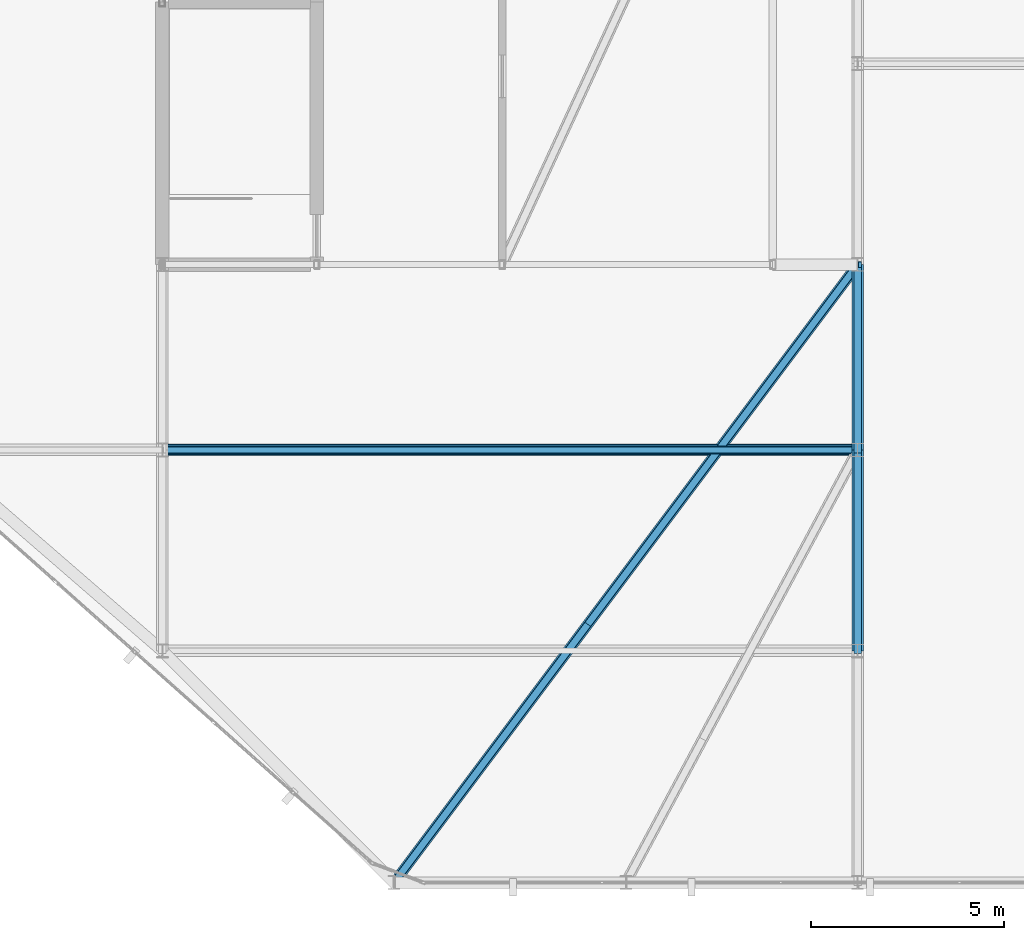
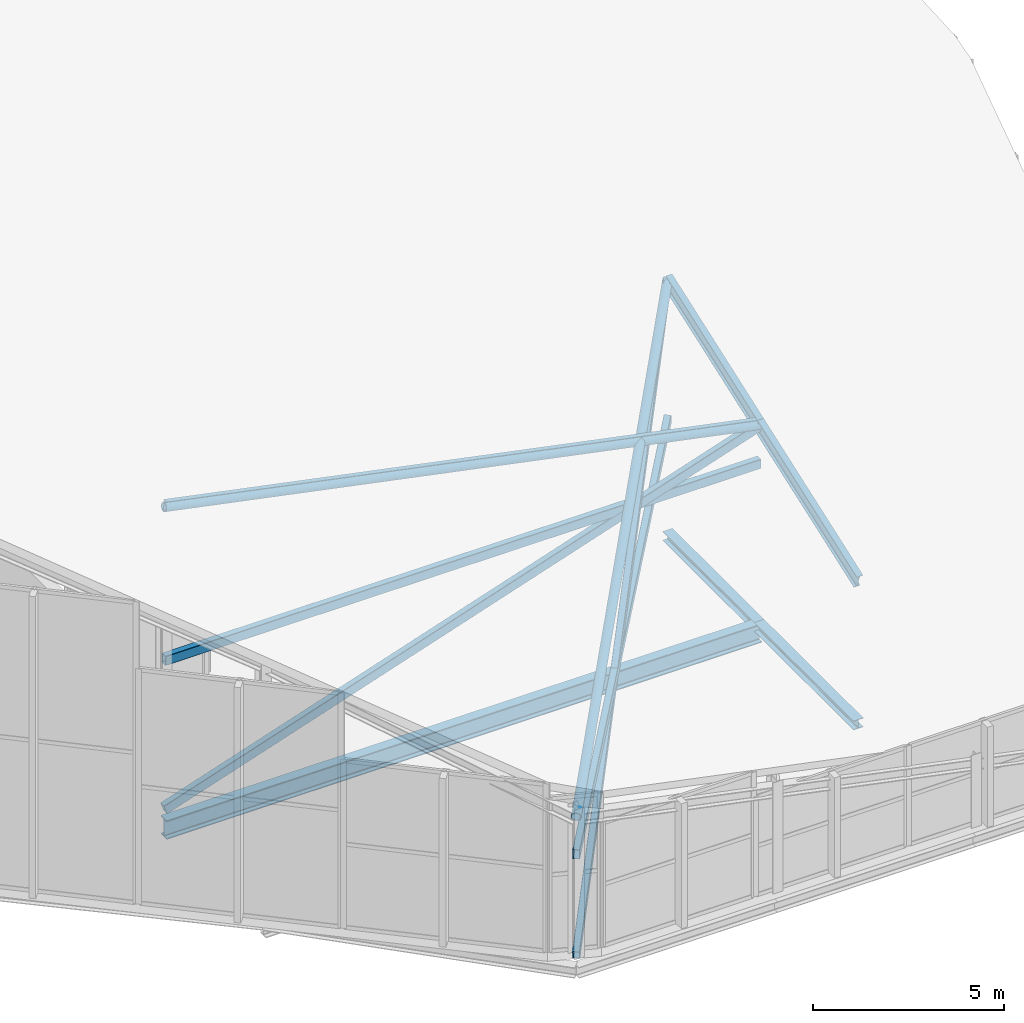
# One storey, part 11 of 74: 9 members, 3 beams.
"""IFC4 building model written with IfcOpenShell, lengths in metres."""

from ifc_helpers import new_model, si_unit, direction, frame, origin, origin_2d, place, context, subcontext, project, spatial, hollow_rectangle, hollow_circle, i_section, extrude, material, material_profile, profile_set, type_object, element, save


model = new_model("IFC4")

# Units and contexts
model_context = context("Model", 3, precision=1e-05, world=origin(), true_north=direction((0.0, 1.0)))
body_context = subcontext(model_context, "Body", "Model", "MODEL_VIEW")
ifc_project = project(units=[si_unit("LENGTHUNIT", "METRE"), si_unit("AREAUNIT", "SQUARE_METRE"), si_unit("VOLUMEUNIT", "CUBIC_METRE"), si_unit("PLANEANGLEUNIT", "RADIAN"), si_unit("MASSUNIT", "GRAM", prefix="KILO")], contexts=[model_context])

# Site, building, storey
site_placement = place(None, origin())
site = spatial("IfcSite", under=ifc_project, at=site_placement, CompositionType="ELEMENT")
building_placement = place(site_placement, origin())
building = spatial("IfcBuilding", under=site, at=building_placement, Name="Keshet Zoharim Tower", CompositionType="ELEMENT")
storey_placement = place(building_placement, frame((0.0, 0.0, 320.0)))
storey = spatial("IfcBuildingStorey", under=building, at=storey_placement, Name="RF", CompositionType="ELEMENT", Elevation=320.0)

# Beams
ifc_material = material(Name="Steel S355", Category="steel")
ifc_material_profile_1 = material_profile(ifc_material, i_section(OverallWidth=0.300048828125, OverallDepth=0.60009765625, WebThickness=0.015380859375, FlangeThickness=0.030029296875, FilletRadius=0.027099609375, at=origin_2d()), Name="HEB600")
ifc_profile_set_1 = profile_set([ifc_material_profile_1], Name="Steel S355")
beam_type_1 = type_object("IfcBeamType", Name="BM-LNG-HB600", PredefinedType="BEAM", material=ifc_profile_set_1)
beam_1_placement = place(storey_placement, frame((15.0, 17.89990234375, -0.610107421875), z_axis=(1.0, 0.0, 0.0), x_axis=(0.0, 1.0, 0.0)))
element("IfcBeam", 1, at=beam_1_placement, inside=storey, type_object=beam_type_1, Name="RF Primary Girder X-006", PredefinedType="BEAM", context=body_context, shape_type="SweptSolid", body=[
    extrude(i_section(OverallWidth=0.300048828125, OverallDepth=0.60009765625, WebThickness=0.015380859375, FlangeThickness=0.030029296875, FilletRadius=0.027099609375, at=origin_2d()), origin(), (0.0, 0.0, 1.0), 18.0),
])
ifc_material_profile_2 = material_profile(ifc_material, i_section(OverallWidth=0.300048828125, OverallDepth=0.2900390625, WebThickness=0.008544921875, FlangeThickness=0.013916015625, FilletRadius=0.027099609375, at=origin_2d()), Name="HEA300")
ifc_profile_set_2 = profile_set([ifc_material_profile_2], Name="Steel S355")
beam_type_2 = type_object("IfcBeamType", Name="BM-PRI-HA300", PredefinedType="BEAM", material=ifc_profile_set_2)
beam_2_placement = place(storey_placement, frame((33.0, 12.699951171875, -0.455078125), z_axis=(0.0, 1.0, 0.0), x_axis=(-1.0, 0.0, 0.0)))
element("IfcBeam", 2, at=beam_2_placement, inside=storey, type_object=beam_type_2, Name="RF Primary Girder Y-005", PredefinedType="BEAM", context=body_context, shape_type="SweptSolid", body=[
    extrude(i_section(OverallWidth=0.300048828125, OverallDepth=0.2900390625, WebThickness=0.008544921875, FlangeThickness=0.013916015625, FilletRadius=0.027099609375, at=origin_2d()), origin(), (0.0, 0.0, 1.0), 5.199951171875),
])
beam_3_placement = place(storey_placement, frame((33.0, 17.89990234375, -0.455078125), z_axis=(0.0, 1.0, 0.0), x_axis=(-1.0, 0.0, 0.0)))
element("IfcBeam", 3, at=beam_3_placement, inside=storey, type_object=beam_type_2, Name="RF Primary Girder Y-006", PredefinedType="BEAM", context=body_context, shape_type="SweptSolid", body=[
    extrude(i_section(OverallWidth=0.300048828125, OverallDepth=0.2900390625, WebThickness=0.008544921875, FlangeThickness=0.013916015625, FilletRadius=0.027099609375, at=origin_2d()), origin(), (0.0, 0.0, 1.0), 4.800048828125),
])

# Members
ifc_material_profile_3 = material_profile(ifc_material, hollow_rectangle(XDim=0.199951171875, YDim=0.300048828125, WallThickness=0.012451171875, InnerFilletRadius=0.011962890625, OuterFilletRadius=0.01904296875, at=origin_2d()), Name="RHS300x200x12.5")
ifc_profile_set_3 = profile_set([ifc_material_profile_3], Name="Steel S355")
member_type_1 = type_object("IfcMemberType", Name="MB-COL-R300", PredefinedType="COLLAR", material=ifc_profile_set_3)
member_1_placement = place(storey_placement, frame((21.0, 6.699951171875, 3.21728515625), z_axis=(0.6, 0.8, 0.0), x_axis=(-0.8, 0.6, 0.0)))
element("IfcMember", 4, at=member_1_placement, inside=storey, type_object=member_type_1, Name="Crown Frame Collar Tie 02", PredefinedType="COLLAR", context=body_context, shape_type="SweptSolid", body=[
    extrude(hollow_rectangle(XDim=0.199951171875, YDim=0.300048828125, WallThickness=0.012451171875, InnerFilletRadius=0.011962890625, OuterFilletRadius=0.01904296875, at=origin_2d()), origin(), (0.0, 0.0, 1.0), 20.0),
])
member_2_placement = place(storey_placement, frame((15.0, 17.89990234375, 4.762939453125), z_axis=(1.0, 0.0, 0.0), x_axis=(0.0, 1.0, 0.0)))
element("IfcMember", 5, at=member_2_placement, inside=storey, type_object=member_type_1, Name="Crown Frame Collar Tie 03", PredefinedType="COLLAR", context=body_context, shape_type="SweptSolid", body=[
    extrude(hollow_rectangle(XDim=0.199951171875, YDim=0.300048828125, WallThickness=0.012451171875, InnerFilletRadius=0.011962890625, OuterFilletRadius=0.01904296875, at=origin_2d()), origin(), (0.0, 0.0, 1.0), 18.0),
])
ifc_material_profile_4 = material_profile(ifc_material, hollow_circle(Radius=0.136474609375, WallThickness=0.010009765625, at=origin_2d()), Name="CHS273x10")
ifc_profile_set_4 = profile_set([ifc_material_profile_4], Name="Steel S355")
member_type_2 = type_object("IfcMemberType", Name="MB-CRN-C273", PredefinedType="BRACE", material=ifc_profile_set_4)
member_3_placement = place(storey_placement, frame((21.0, 6.699951171875, 4.417236328125), z_axis=(0.5921972685, 0.789596358, 0.160748208747), x_axis=(-0.8, 0.6, 0.0)))
element("IfcMember", 6, at=member_3_placement, inside=storey, type_object=member_type_2, Name="Crown Roof In-Plane Brace 02", PredefinedType="BRACE", context=body_context, shape_type="SweptSolid", body=[
    extrude(hollow_circle(Radius=0.136474609375, WallThickness=0.010009765625, at=origin_2d()), origin(), (0.0, 0.0, 1.0), 20.263427734375),
])
member_4_placement = place(storey_placement, frame((15.0, 17.89990234375, 9.63427734375), z_axis=(0.979826264303, 0.0, -0.19985117408), x_axis=(0.0, 1.0, 0.0)))
element("IfcMember", 7, at=member_4_placement, inside=storey, type_object=member_type_2, Name="Crown Roof In-Plane Brace 03", PredefinedType="BRACE", context=body_context, shape_type="SweptSolid", body=[
    extrude(hollow_circle(Radius=0.136474609375, WallThickness=0.010009765625, at=origin_2d()), origin(), (0.0, 0.0, 1.0), 18.37060546875),
])
ifc_material_profile_5 = material_profile(ifc_material, i_section(OverallWidth=0.14990234375, OverallDepth=0.300048828125, WebThickness=0.007080078125, FlangeThickness=0.0107421875, FilletRadius=0.014892578125, at=origin_2d()), Name="IPE300")
ifc_profile_set_5 = profile_set([ifc_material_profile_5], Name="Steel S355")
member_type_3 = type_object("IfcMemberType", Name="MB-PUR-IP300", PredefinedType="PURLIN", material=ifc_profile_set_5)
member_5_placement = place(storey_placement, frame((15.0, 17.89990234375, 9.67431640625), z_axis=(0.979826264303, 0.0, -0.19985117408), x_axis=(0.0, 1.0, 0.0)))
element("IfcMember", 8, at=member_5_placement, inside=storey, type_object=member_type_3, Name="Crown Roof Purlin 03", PredefinedType="PURLIN", context=body_context, shape_type="SweptSolid", body=[
    extrude(i_section(OverallWidth=0.14990234375, OverallDepth=0.300048828125, WebThickness=0.007080078125, FlangeThickness=0.0107421875, FilletRadius=0.014892578125, at=origin_2d()), origin(), (0.0, 0.0, 1.0), 18.37060546875),
])
ifc_material_profile_6 = material_profile(ifc_material, i_section(OverallWidth=0.18994140625, OverallDepth=0.449951171875, WebThickness=0.009521484375, FlangeThickness=0.0146484375, FilletRadius=0.02099609375, at=origin_2d()), Name="IPE450")
ifc_profile_set_6 = profile_set([ifc_material_profile_6], Name="Steel S355")
member_type_4 = type_object("IfcMemberType", Name="MB-RAF-IP450", PredefinedType="RAFTER", material=ifc_profile_set_6)
member_6_placement = place(storey_placement, frame((33.0, 12.699951171875, 4.10888671875), z_axis=(0.0, 0.941920874115, 0.335834880418), x_axis=(-1.0, 0.0, 0.0)))
element("IfcMember", 9, at=member_6_placement, inside=storey, type_object=member_type_4, Name="Crown Raking Rafter 10", PredefinedType="RAFTER", context=body_context, shape_type="SweptSolid", body=[
    extrude(i_section(OverallWidth=0.18994140625, OverallDepth=0.449951171875, WebThickness=0.009521484375, FlangeThickness=0.0146484375, FilletRadius=0.02099609375, at=origin_2d()), origin(), (0.0, 0.0, 1.0), 5.5205078125),
])
member_7_placement = place(storey_placement, frame((33.0, 17.89990234375, 5.962890625), z_axis=(0.0, 0.941905465314, 0.335878094569), x_axis=(-1.0, 0.0, 0.0)))
element("IfcMember", 10, at=member_7_placement, inside=storey, type_object=member_type_4, Name="Crown Raking Rafter 11", PredefinedType="RAFTER", context=body_context, shape_type="SweptSolid", body=[
    extrude(i_section(OverallWidth=0.18994140625, OverallDepth=0.449951171875, WebThickness=0.009521484375, FlangeThickness=0.0146484375, FilletRadius=0.02099609375, at=origin_2d()), origin(), (0.0, 0.0, 1.0), 5.09619140625),
])
ifc_material_profile_7 = material_profile(ifc_material, hollow_rectangle(XDim=0.199951171875, YDim=0.300048828125, WallThickness=0.012451171875, InnerFilletRadius=0.011962890625, OuterFilletRadius=0.01904296875, at=origin_2d()), Name="RHS300x200x12.5")
ifc_profile_set_7 = profile_set([ifc_material_profile_7], Name="Steel S355")
member_type_5 = type_object("IfcMemberType", Name="MB-STR-R300", PredefinedType="STRUT", material=ifc_profile_set_7)
member_8_placement = place(storey_placement, frame((21.0, 6.699951171875, 0.0), z_axis=(0.560173741803, 0.746898322404, 0.358257274853), x_axis=(-0.8, 0.6, 0.0)))
element("IfcMember", 11, at=member_8_placement, inside=storey, type_object=member_type_5, Name="Crown Vertical Bracing Strut 02", PredefinedType="STRUT", context=body_context, shape_type="SweptSolid", body=[
    extrude(hollow_rectangle(XDim=0.199951171875, YDim=0.300048828125, WallThickness=0.012451171875, InnerFilletRadius=0.011962890625, OuterFilletRadius=0.01904296875, at=origin_2d()), origin(), (0.0, 0.0, 1.0), 21.421875),
])
member_9_placement = place(storey_placement, frame((15.0, 17.89990234375, 0.0), z_axis=(0.949268775836, 0.0, 0.314465882447), x_axis=(0.0, 1.0, 0.0)))
element("IfcMember", 12, at=member_9_placement, inside=storey, type_object=member_type_5, Name="Crown Vertical Bracing Strut 03", PredefinedType="STRUT", context=body_context, shape_type="SweptSolid", body=[
    extrude(hollow_rectangle(XDim=0.199951171875, YDim=0.300048828125, WallThickness=0.012451171875, InnerFilletRadius=0.011962890625, OuterFilletRadius=0.01904296875, at=origin_2d()), origin(), (0.0, 0.0, 1.0), 18.9619140625),
])

save(model, "model.ifc")
